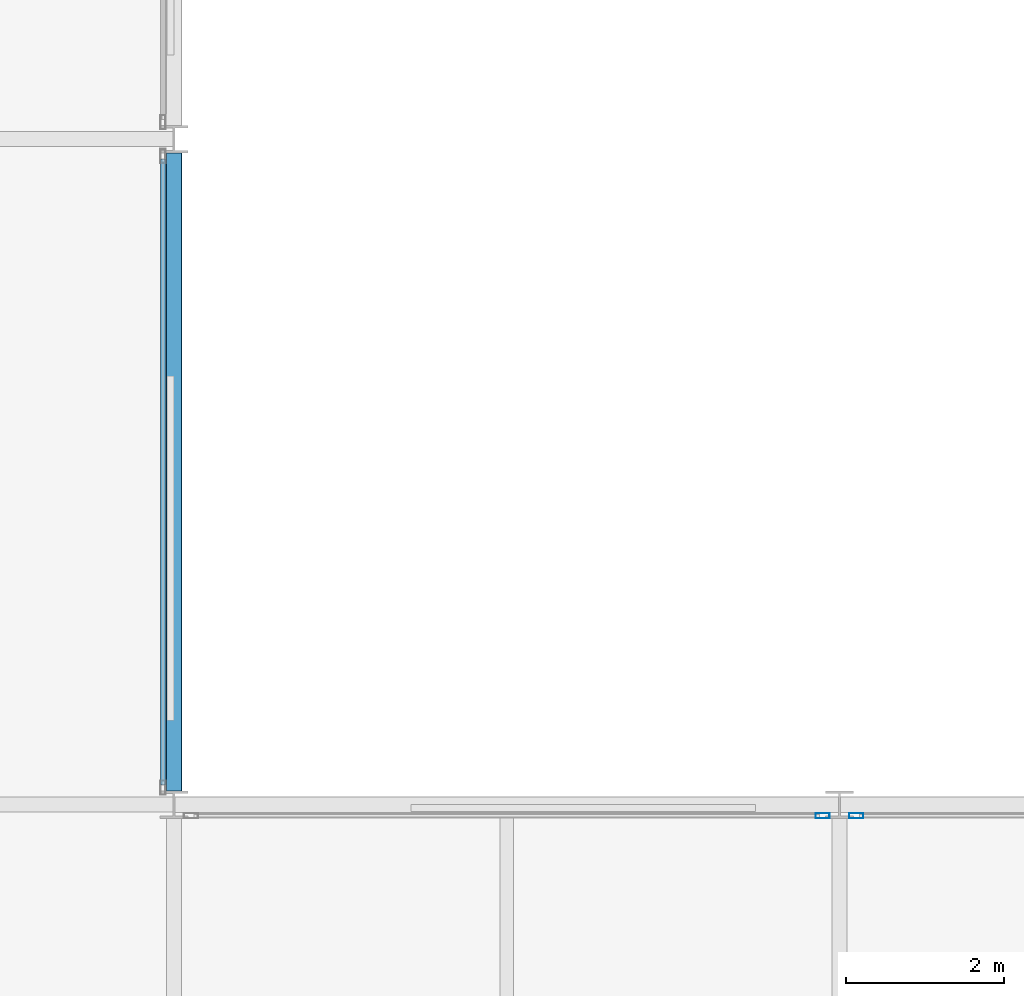
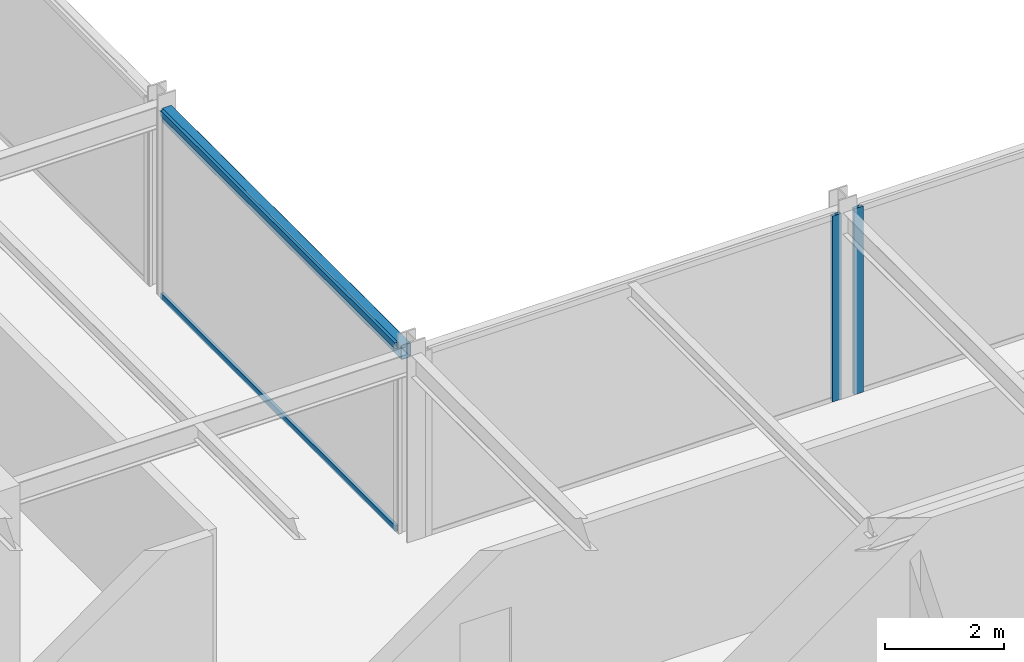
# One storey, part 15 of 29: 4 members, 1 beam, 3 elements without a shape of their own.
"""IFC4 building model written with IfcOpenShell, lengths in metres."""

from ifc_helpers import new_model, si_unit, direction, frame, origin, origin_2d, place, context, subcontext, project, spatial, hollow_rectangle, extrude, material, layer, layer_set, material_profile, profile_set, type_object, element, aggregate, save


model = new_model("IFC4")

# Units and contexts
model_context = context("Model", 3, precision=1e-05, world=origin(), true_north=direction((0.0, 1.0)))
body_context = subcontext(model_context, "Body", "Model", "MODEL_VIEW")
ifc_project = project(units=[si_unit("LENGTHUNIT", "METRE"), si_unit("AREAUNIT", "SQUARE_METRE"), si_unit("VOLUMEUNIT", "CUBIC_METRE"), si_unit("PLANEANGLEUNIT", "RADIAN"), si_unit("MASSUNIT", "GRAM", prefix="KILO")], contexts=[model_context])

# Site, building, storey
site_placement = place(None, origin())
site = spatial("IfcSite", under=ifc_project, at=site_placement, CompositionType="ELEMENT")
building_placement = place(site_placement, origin())
building = spatial("IfcBuilding", under=site, at=building_placement, Name="Nerrivon Quay Data Exchange", CompositionType="ELEMENT")
storey_placement = place(building_placement, frame((0.0, 0.0, 175.5)))
storey = spatial("IfcBuildingStorey", under=building, at=storey_placement, Name="L41", CompositionType="ELEMENT", Elevation=175.5)

# Beam
ifc_material_1 = material(Name="Steel Grade C350L0 (350 MPa)", Category="steel")
ifc_material_profile_1 = material_profile(ifc_material_1, hollow_rectangle(XDim=0.199951171875, YDim=0.300048828125, WallThickness=0.012451171875, InnerFilletRadius=0.018798828125, OuterFilletRadius=0.03125, at=origin_2d()), Name="300x200x12.5RHS")
ifc_profile_set_1 = profile_set([ifc_material_profile_1], Name="Steel Grade C350L0 (350 MPa)")
beam_type = type_object("IfcBeamType", Name="BM-SP3-300x200RHS", PredefinedType="SPANDREL", material=ifc_profile_set_1)
beam_placement = place(storey_placement, frame((25.199951171875, 25.375, 3.675048828125), z_axis=(0.0, 1.0, 0.0), x_axis=(-1.0, 0.0, 0.0)))
element("IfcBeam", 1, at=beam_placement, inside=storey, type_object=beam_type, Name="L41 NS Girder X=25.2 (25.2..33.6)", PredefinedType="SPANDREL", context=body_context, shape_type="SweptSolid", body=[
    extrude(hollow_rectangle(XDim=0.199951171875, YDim=0.300048828125, WallThickness=0.012451171875, InnerFilletRadius=0.018798828125, OuterFilletRadius=0.03125, at=origin_2d()), origin(), (0.0, 0.0, 1.0), 8.050048828125),
])

# Curtain wall, member
ifc_material_2 = material(Name="Anodised aluminium 6063-T6", Category="aluminium")
ifc_layer = layer(ifc_material_2, 0.195068359375)
ifc_layer_set = layer_set([ifc_layer], Name="Anodised aluminium 6063-T6")
curtain_wall_type = type_object("IfcCurtainWallType", Name="CW-SYS-06", PredefinedType="NOTDEFINED", material=ifc_layer_set)
curtain_wall_1_placement = place(storey_placement, origin())
curtain_wall_1 = element("IfcCurtainWall", 2, at=curtain_wall_1_placement, inside=storey, type_object=curtain_wall_type, Name="L41 Unitised Curtain Wall 16", PredefinedType="NOTDEFINED")
ifc_material_profile_2 = material_profile(ifc_material_2, hollow_rectangle(XDim=0.06494140625, YDim=0.179931640625, WallThickness=0.00341796875, at=origin_2d()), Name="ALU-MULL-180x65")
ifc_profile_set_2 = profile_set([ifc_material_profile_2], Name="Anodised aluminium 6063-T6")
member_type_1 = type_object("IfcMemberType", Name="CWM-180x65", PredefinedType="MULLION", material=ifc_profile_set_2)
member_1_placement = place(storey_placement, frame((33.387451171875, 25.06005859375, 0.0), z_axis=(0.0, 0.0, 1.0), x_axis=(0.0, 1.0, 0.0)))
member_1 = element("IfcMember", 3, at=member_1_placement, type_object=member_type_1, Name="CW06 mullion 2", PredefinedType="MULLION", context=body_context, shape_type="SweptSolid", body=[
    extrude(hollow_rectangle(XDim=0.06494140625, YDim=0.179931640625, WallThickness=0.00341796875, at=origin_2d()), origin(), (0.0, 0.0, 1.0), 3.824951171875),
])
aggregate(curtain_wall_1, [member_1])

curtain_wall_2_placement = place(storey_placement, origin())
curtain_wall_2 = element("IfcCurtainWall", 4, at=curtain_wall_2_placement, inside=storey, type_object=curtain_wall_type, Name="L41 Unitised Curtain Wall 17", PredefinedType="NOTDEFINED")
member_2_placement = place(storey_placement, frame((33.8125, 25.06005859375, 0.0), z_axis=(0.0, 0.0, 1.0), x_axis=(0.0, 1.0, 0.0)))
member_2 = element("IfcMember", 5, at=member_2_placement, type_object=member_type_1, Name="CW06 mullion 1", PredefinedType="MULLION", context=body_context, shape_type="SweptSolid", body=[
    extrude(hollow_rectangle(XDim=0.06494140625, YDim=0.179931640625, WallThickness=0.00341796875, at=origin_2d()), origin(), (0.0, 0.0, 1.0), 3.824951171875),
])
aggregate(curtain_wall_2, [member_2])

# Curtain wall, members
curtain_wall_3_placement = place(storey_placement, origin())
curtain_wall_3 = element("IfcCurtainWall", 6, at=curtain_wall_3_placement, inside=storey, type_object=curtain_wall_type, Name="L41 Unitised Curtain Wall 15", PredefinedType="NOTDEFINED")
ifc_material_profile_3 = material_profile(ifc_material_2, hollow_rectangle(XDim=0.06005859375, YDim=0.1201171875, WallThickness=0.003173828125, at=origin_2d()), Name="ALU-TRAN-120x60")
ifc_profile_set_3 = profile_set([ifc_material_profile_3], Name="Anodised aluminium 6063-T6")
member_type_2 = type_object("IfcMemberType", Name="CWT-120x60", PredefinedType="USERDEFINED", material=ifc_profile_set_3)
member_3_placement = place(storey_placement, frame((25.06005859375, 33.35009765625, 0.032470703125), z_axis=(0.0, -1.0, 0.0), x_axis=(1.0, 0.0, 0.0)))
member_3 = element("IfcMember", 7, at=member_3_placement, type_object=member_type_2, Name="CW06 transom 1.1", ObjectType="TRANSOM", PredefinedType="USERDEFINED", context=body_context, shape_type="SweptSolid", body=[
    extrude(hollow_rectangle(XDim=0.06005859375, YDim=0.1201171875, WallThickness=0.003173828125, at=origin_2d()), origin(), (0.0, 0.0, 1.0), 7.900146484375),
])
member_4_placement = place(storey_placement, frame((25.06005859375, 33.35009765625, 3.79248046875), z_axis=(0.0, -1.0, 0.0), x_axis=(1.0, 0.0, 0.0)))
member_4 = element("IfcMember", 8, at=member_4_placement, type_object=member_type_2, Name="CW06 transom 1.2", ObjectType="TRANSOM", PredefinedType="USERDEFINED", context=body_context, shape_type="SweptSolid", body=[
    extrude(hollow_rectangle(XDim=0.06005859375, YDim=0.1201171875, WallThickness=0.003173828125, at=origin_2d()), origin(), (0.0, 0.0, 1.0), 7.900146484375),
])
aggregate(curtain_wall_3, [member_3, member_4])

save(model, "model.ifc")
